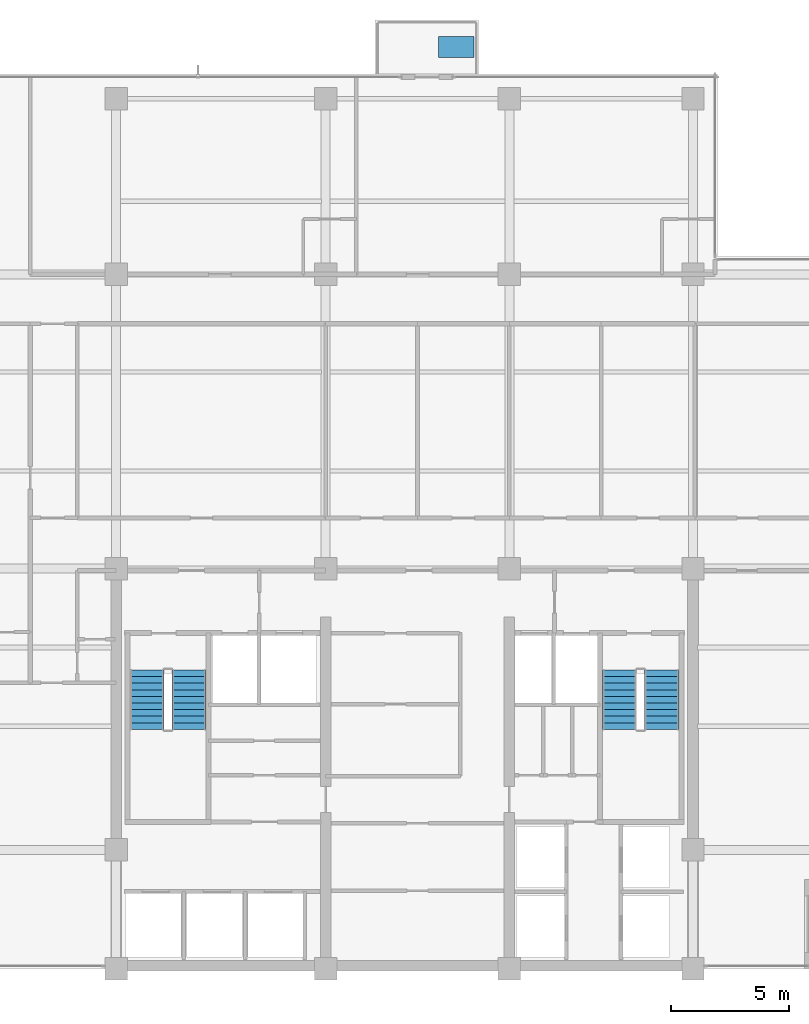
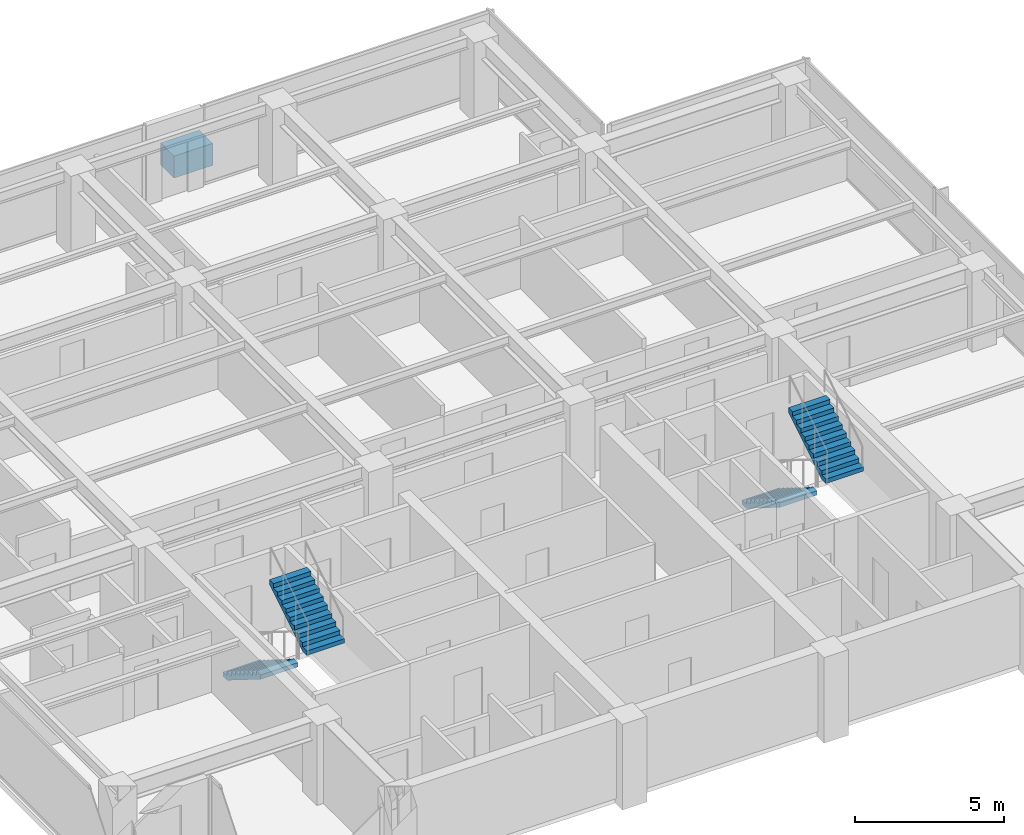
# One storey, part 10 of 15: 4 stair flights, 1 discrete accessory, 2 elements without a shape of their own.
"""IFC4 building model written with IfcOpenShell, lengths in metres."""

import ifcopenshell
import ifcopenshell.guid

model = None  # the IFC model being written
_history = None  # IfcOwnerHistory: only IFC2X3 demands one
_inside = {}  # id of a spatial element -> (the spatial element, [elements in it])
_under = {}  # id of a project, library or spatial element -> (it, [spatial elements below it])
_declared = {}  # id of a project -> (the project, [libraries it declares])
_typed = {}  # id of a type object -> (the type object, [elements of that type])
_made_of = {}  # id of a material, layer set ... -> (it, [elements and type objects made of it])


def new_model(schema):
    """Start an empty IFC model of exactly this schema.

    Asked for "IFC4X3", IfcOpenShell would pick the latest addendum, in which some entities
    have other attributes; the version numbers below select the first issue.
    IFC2X3 requires an IfcOwnerHistory on every rooted entity: one is made here for all.
    """
    global model, _history
    if schema == "IFC4X3":
        model = ifcopenshell.file(schema_version=(4, 3, 0, 0))
    else:
        model = ifcopenshell.file(schema=schema)
    _inside.clear()
    _under.clear()
    _declared.clear()
    _typed.clear()
    _made_of.clear()
    _history = None
    if model.schema == "IFC2X3":
        org = make("IfcOrganization", Name="unknown")
        user = make(
            "IfcPersonAndOrganization",
            ThePerson=make("IfcPerson", FamilyName="unknown"),
            TheOrganization=org,
        )
        app = make(
            "IfcApplication",
            ApplicationDeveloper=org,
            Version="unknown",
            ApplicationFullName="unknown",
            ApplicationIdentifier="unknown",
        )
        _history = make(
            "IfcOwnerHistory",
            OwningUser=user,
            OwningApplication=app,
            ChangeAction="ADDED",
            CreationDate=0,
        )
    return model


def make(cls, **values):
    """One entity of the class cls with the attributes given. An attribute that is None is left unset."""
    return model.create_entity(
        cls, **{name: value for name, value in values.items() if value is not None}
    )


def rooted(cls, **values):
    """An entity with a GlobalId (a new one), such as an element, a storey or a relation."""
    return make(cls, GlobalId=ifcopenshell.guid.new(), OwnerHistory=_history, **values)


def si_unit(unit_type, name, prefix=None):
    """IfcSIUnit, for example si_unit("LENGTHUNIT", "METRE", prefix="MILLI")."""
    return make("IfcSIUnit", UnitType=unit_type, Prefix=prefix, Name=name)


def assignment(units):
    """IfcUnitAssignment: the units of a project."""
    return None if units is None else make("IfcUnitAssignment", Units=units)


def point(xyz):
    """IfcCartesianPoint."""
    return None if xyz is None else make("IfcCartesianPoint", Coordinates=xyz)


def direction(xyz):
    """IfcDirection."""
    return None if xyz is None else make("IfcDirection", DirectionRatios=xyz)


def frame(location, z_axis=None, x_axis=None):
    """IfcAxis2Placement3D, a coordinate frame: its origin and axes. An axis left out is left unset."""
    return make(
        "IfcAxis2Placement3D",
        Location=point(location),
        Axis=direction(z_axis),
        RefDirection=direction(x_axis),
    )


def origin():
    """The frame at (0, 0, 0) with its axes left unset."""
    return frame((0.0, 0.0, 0.0))


def place(relative_to, where):
    """IfcLocalPlacement: puts the frame where relative to a parent placement (None: the world)."""
    return make(
        "IfcLocalPlacement", PlacementRelTo=relative_to, RelativePlacement=where
    )


def context(
    kind, dimensions, precision=None, world=None, true_north=None, identifier=None
):
    """IfcGeometricRepresentationContext, for example the 3D "Model" context."""
    return make(
        "IfcGeometricRepresentationContext",
        ContextIdentifier=identifier,
        ContextType=kind,
        CoordinateSpaceDimension=dimensions,
        Precision=precision,
        WorldCoordinateSystem=world,
        TrueNorth=true_north,
    )


def subcontext(parent, identifier, kind, view, scale=None):
    """IfcGeometricRepresentationSubContext, for example "Body" below "Model"."""
    return make(
        "IfcGeometricRepresentationSubContext",
        ContextIdentifier=identifier,
        ContextType=kind,
        ParentContext=parent,
        TargetScale=scale,
        TargetView=view,
    )


def project(units=None, contexts=None):
    """IfcProject with its units and contexts."""
    return rooted(
        "IfcProject",
        Name="project",
        RepresentationContexts=contexts,
        UnitsInContext=assignment(units),
    )


def spatial(cls, under=None, at=None, **own):
    """A site, building, storey or space (cls), placed at a placement, below another one or the project."""
    s = rooted(cls, ObjectPlacement=at, **own)
    if under is not None:
        _under.setdefault(under.id(), (under, []))[1].append(s)
    return s


def polyline(points):
    """IfcPolyline through the points."""
    return make("IfcPolyline", Points=[point(p) for p in points])


def outline(outer, holes=None, kind="AREA"):
    """IfcArbitraryClosedProfileDef: a profile drawn as a closed curve; with holes, ...WithVoids."""
    if holes is None:
        return make("IfcArbitraryClosedProfileDef", ProfileType=kind, OuterCurve=outer)
    return make(
        "IfcArbitraryProfileDefWithVoids",
        ProfileType=kind,
        OuterCurve=outer,
        InnerCurves=holes,
    )


def extrude(swept, where, along, depth):
    """IfcExtrudedAreaSolid: the profile swept, set in the frame where, extruded along a direction by depth."""
    return make(
        "IfcExtrudedAreaSolid",
        SweptArea=swept,
        Position=where,
        ExtrudedDirection=direction(along),
        Depth=depth,
    )


def shape(context_of_items, identifier, shape_type, items):
    """IfcShapeRepresentation: the items that make up one representation, for example the "Body"."""
    return make(
        "IfcShapeRepresentation",
        ContextOfItems=context_of_items,
        RepresentationIdentifier=identifier,
        RepresentationType=shape_type,
        Items=items,
    )


def material(Name=None, Category=None):
    """IfcMaterial."""
    return make("IfcMaterial", Name=Name, Category=Category)


def layer(
    of_material, thickness, ventilated=None, Name=None, Category=None, Priority=None
):
    """IfcMaterialLayer: one layer of a wall or slab, of a material (None: an air gap)."""
    return make(
        "IfcMaterialLayer",
        Material=of_material,
        LayerThickness=thickness,
        IsVentilated=ventilated,
        Name=Name,
        Category=Category,
        Priority=Priority,
    )


def layer_set(layers, Name=None):
    """IfcMaterialLayerSet."""
    return make("IfcMaterialLayerSet", MaterialLayers=layers, LayerSetName=Name)


def made_of(thing, what):
    """Note that an element or type object is made of a material, layer set ...; save() writes the relation."""
    if what is not None:
        _made_of.setdefault(what.id(), (what, []))[1].append(thing)
    return thing


def type_object(cls, material=None, **own):
    """A type object (cls), such as IfcWallType, which elements share."""
    return made_of(rooted(cls, **own), material)


def element(
    cls,
    number,
    at=None,
    inside=None,
    cuts=None,
    type_object=None,
    material=None,
    context=None,
    identifier="Body",
    shape_type=None,
    held_by="IfcProductDefinitionShape",
    body=None,
    shapes=None,
    **own,
):
    """One element of the class cls, such as IfcWall. Its Tag is "e" and its number.

    at: its placement. inside: the storey or other place that contains it. cuts: it is an
    opening in that element (IfcRelVoidsElement). A single representation is given by context,
    identifier, shape_type and body (its items); several are given by shapes. held_by: the class
    of the entity that holds the representations. save() writes the other relations.
    """
    e = rooted(cls, Tag="e%d" % number, ObjectPlacement=at, **own)
    if body is not None:
        shapes = [shape(context, identifier, shape_type, body)]
    if shapes is not None:
        e.Representation = make(held_by, Representations=shapes)
    if inside is not None:
        _inside.setdefault(inside.id(), (inside, []))[1].append(e)
    if cuts is not None:
        rooted(
            "IfcRelVoidsElement", RelatingBuildingElement=cuts, RelatedOpeningElement=e
        )
    if type_object is not None:
        _typed.setdefault(type_object.id(), (type_object, []))[1].append(e)
    return made_of(e, material)


def aggregate(whole, parts):
    """IfcRelAggregates: a whole, such as a stair, and the parts it consists of."""
    return rooted("IfcRelAggregates", RelatingObject=whole, RelatedObjects=parts)


def save(model, path):
    """Write the relations noted so far, then the file.

    IfcRelAggregates (storeys below a building ...), IfcRelContainedInSpatialStructure (elements
    in a storey), IfcRelDefinesByType, IfcRelAssociatesMaterial and IfcRelDeclares: one each for
    every whole, place, type object, material and project.
    """
    for whole, parts in _under.values():
        aggregate(whole, parts)
    for where, things in _inside.values():
        rooted(
            "IfcRelContainedInSpatialStructure",
            RelatedElements=things,
            RelatingStructure=where,
        )
    for kind, things in _typed.values():
        rooted("IfcRelDefinesByType", RelatedObjects=things, RelatingType=kind)
    for what, things in _made_of.values():
        rooted("IfcRelAssociatesMaterial", RelatedObjects=things, RelatingMaterial=what)
    for by, libraries in _declared.values():
        rooted("IfcRelDeclares", RelatingContext=by, RelatedDefinitions=libraries)
    model.write(path)


model = new_model("IFC4")

# Units and contexts
model_context = context("Model", 3, precision=1e-05, world=origin(), true_north=direction((0.0, 1.0)))
body_context = subcontext(model_context, "Body", "Model", "MODEL_VIEW")
ifc_project = project(units=[si_unit("LENGTHUNIT", "METRE"), si_unit("AREAUNIT", "SQUARE_METRE"), si_unit("VOLUMEUNIT", "CUBIC_METRE"), si_unit("PLANEANGLEUNIT", "RADIAN"), si_unit("MASSUNIT", "GRAM", prefix="KILO")], contexts=[model_context])

# Site, building, storey
site_placement = place(None, origin())
site = spatial("IfcSite", under=ifc_project, at=site_placement, CompositionType="ELEMENT")
building_placement = place(site_placement, origin())
building = spatial("IfcBuilding", under=site, at=building_placement, Name="Qalmaran Belvedere Hotel", CompositionType="ELEMENT")
storey_placement = place(building_placement, frame((0.0, 0.0, 221.39990234375)))
storey = spatial("IfcBuildingStorey", under=building, at=storey_placement, Name="L56", CompositionType="ELEMENT", Elevation=221.39990234375)

# Stair, stair flights
ifc_material = material(Name="Concrete C40/50", Category="concrete")
stair_type_1 = type_object("IfcStairType", Name="STR-ST-1-1450-R1750", PredefinedType="HALF_TURN_STAIR", material=ifc_material)
stair_1_placement = place(storey_placement, origin())
stair_1 = element("IfcStair", 1, at=stair_1_placement, inside=storey, type_object=stair_type_1, Name="L56 West Core Exit Stair ST-1", PredefinedType="HALF_TURN_STAIR")
ifc_layer_1 = layer(ifc_material, 0.14990234375, Name="Concrete C40/50")
ifc_layer_set_1 = layer_set([ifc_layer_1], Name="Concrete C40/50")
stair_flight_type_1 = type_object("IfcStairFlightType", Name="STF-ST-1-1450-R1750", PredefinedType="STRAIGHT", material=ifc_layer_set_1)
stair_flight_1_placement = place(storey_placement, frame((21.60498046875, 16.18994140625, 0.0), z_axis=(0.0, 0.0, 1.0), x_axis=(0.0, -1.0, 0.0)))
stair_flight_1 = element("IfcStairFlight", 2, at=stair_flight_1_placement, type_object=stair_flight_type_1, Name="ST-1 flight 1", NumberOfRisers=10, NumberOfTreads=9, PredefinedType="STRAIGHT", RiserHeight=0.175, TreadLength=0.28, context=body_context, shape_type="SweptSolid", body=[
    extrude(outline(polyline([(0.0, 0.0), (0.0, 0.175048828125), (0.280029296875, 0.175048828125), (0.280029296875, 0.35009765625), (0.56005859375, 0.35009765625), (0.56005859375, 0.52490234375), (0.840087890625, 0.52490234375), (0.840087890625, 0.699951171875), (1.1201171875, 0.699951171875), (1.1201171875, 0.875), (1.39990234375, 0.875), (1.39990234375, 1.050048828125), (1.679931640625, 1.050048828125), (1.679931640625, 1.22509765625), (1.9599609375, 1.22509765625), (1.9599609375, 1.39990234375), (2.239990234375, 1.39990234375), (2.239990234375, 1.574951171875), (2.52001953125, 1.574951171875), (2.52001953125, 1.75), (2.52001953125, 1.398193359375), (0.28271484375, 0.0), (0.0, 0.0)])), frame((0.0, 0.72509765625, 0.0), z_axis=(0.0, -1.0, 0.0), x_axis=(1.0, 0.0, 0.0)), (0.0, 0.0, 1.0), 1.449951171875),
])
stair_flight_2_placement = place(storey_placement, frame((23.39501953125, 13.669921875, 1.75), z_axis=(0.0, 0.0, 1.0), x_axis=(0.0, 1.0, 0.0)))
stair_flight_2 = element("IfcStairFlight", 3, at=stair_flight_2_placement, type_object=stair_flight_type_1, Name="ST-1 flight 2", NumberOfRisers=10, NumberOfTreads=9, PredefinedType="STRAIGHT", RiserHeight=0.175, TreadLength=0.28, context=body_context, shape_type="SweptSolid", body=[
    extrude(outline(polyline([(0.0, 0.0), (0.0, 0.175048828125), (0.280029296875, 0.175048828125), (0.280029296875, 0.35009765625), (0.56005859375, 0.35009765625), (0.56005859375, 0.52490234375), (0.840087890625, 0.52490234375), (0.840087890625, 0.699951171875), (1.1201171875, 0.699951171875), (1.1201171875, 0.875), (1.39990234375, 0.875), (1.39990234375, 1.050048828125), (1.679931640625, 1.050048828125), (1.679931640625, 1.22509765625), (1.9599609375, 1.22509765625), (1.9599609375, 1.39990234375), (2.239990234375, 1.39990234375), (2.239990234375, 1.574951171875), (2.52001953125, 1.574951171875), (2.52001953125, 1.75), (2.52001953125, 1.398193359375), (0.28271484375, 0.0), (0.0, 0.0)])), frame((0.0, 0.72509765625, 0.0), z_axis=(0.0, -1.0, 0.0), x_axis=(1.0, 0.0, 0.0)), (0.0, 0.0, 1.0), 1.449951171875),
])
aggregate(stair_1, [stair_flight_1, stair_flight_2])

stair_type_2 = type_object("IfcStairType", Name="STR-ST-2-1450-R1750", PredefinedType="HALF_TURN_STAIR", material=ifc_material)
stair_2_placement = place(storey_placement, origin())
stair_2 = element("IfcStair", 4, at=stair_2_placement, inside=storey, type_object=stair_type_2, Name="L56 East Core Exit Stair ST-2", PredefinedType="HALF_TURN_STAIR")
ifc_layer_2 = layer(ifc_material, 0.14990234375, Name="Concrete C40/50")
ifc_layer_set_2 = layer_set([ifc_layer_2], Name="Concrete C40/50")
stair_flight_type_2 = type_object("IfcStairFlightType", Name="STF-ST-2-1450-R1750", PredefinedType="STRAIGHT", material=ifc_layer_set_2)
stair_flight_3_placement = place(storey_placement, frame((41.68505859375, 16.18994140625, 0.0), z_axis=(0.0, 0.0, 1.0), x_axis=(0.0, -1.0, 0.0)))
stair_flight_3 = element("IfcStairFlight", 5, at=stair_flight_3_placement, type_object=stair_flight_type_2, Name="ST-2 flight 1", NumberOfRisers=10, NumberOfTreads=9, PredefinedType="STRAIGHT", RiserHeight=0.175, TreadLength=0.28, context=body_context, shape_type="SweptSolid", body=[
    extrude(outline(polyline([(0.0, 0.0), (0.0, 0.175048828125), (0.280029296875, 0.175048828125), (0.280029296875, 0.35009765625), (0.56005859375, 0.35009765625), (0.56005859375, 0.52490234375), (0.840087890625, 0.52490234375), (0.840087890625, 0.699951171875), (1.1201171875, 0.699951171875), (1.1201171875, 0.875), (1.39990234375, 0.875), (1.39990234375, 1.050048828125), (1.679931640625, 1.050048828125), (1.679931640625, 1.22509765625), (1.9599609375, 1.22509765625), (1.9599609375, 1.39990234375), (2.239990234375, 1.39990234375), (2.239990234375, 1.574951171875), (2.52001953125, 1.574951171875), (2.52001953125, 1.75), (2.52001953125, 1.398193359375), (0.28271484375, 0.0), (0.0, 0.0)])), frame((0.0, 0.72509765625, 0.0), z_axis=(0.0, -1.0, 0.0), x_axis=(1.0, 0.0, 0.0)), (0.0, 0.0, 1.0), 1.449951171875),
])
stair_flight_4_placement = place(storey_placement, frame((43.47509765625, 13.669921875, 1.75), z_axis=(0.0, 0.0, 1.0), x_axis=(0.0, 1.0, 0.0)))
stair_flight_4 = element("IfcStairFlight", 6, at=stair_flight_4_placement, type_object=stair_flight_type_2, Name="ST-2 flight 2", NumberOfRisers=10, NumberOfTreads=9, PredefinedType="STRAIGHT", RiserHeight=0.175, TreadLength=0.28, context=body_context, shape_type="SweptSolid", body=[
    extrude(outline(polyline([(0.0, 0.0), (0.0, 0.175048828125), (0.280029296875, 0.175048828125), (0.280029296875, 0.35009765625), (0.56005859375, 0.35009765625), (0.56005859375, 0.52490234375), (0.840087890625, 0.52490234375), (0.840087890625, 0.699951171875), (1.1201171875, 0.699951171875), (1.1201171875, 0.875), (1.39990234375, 0.875), (1.39990234375, 1.050048828125), (1.679931640625, 1.050048828125), (1.679931640625, 1.22509765625), (1.9599609375, 1.22509765625), (1.9599609375, 1.39990234375), (2.239990234375, 1.39990234375), (2.239990234375, 1.574951171875), (2.52001953125, 1.574951171875), (2.52001953125, 1.75), (2.52001953125, 1.398193359375), (0.28271484375, 0.0), (0.0, 0.0)])), frame((0.0, 0.72509765625, 0.0), z_axis=(0.0, -1.0, 0.0), x_axis=(1.0, 0.0, 0.0)), (0.0, 0.0, 1.0), 1.449951171875),
])
aggregate(stair_2, [stair_flight_3, stair_flight_4])

# Discrete accessory
discrete_accessory_type = type_object("IfcDiscreteAccessoryType", Name="PLN-BAL-1500", PredefinedType="USERDEFINED", material=ifc_material)
discrete_accessory_placement = place(storey_placement, origin())
element("IfcDiscreteAccessory", 7, at=discrete_accessory_placement, inside=storey, type_object=discrete_accessory_type, Name="L56 Sky Tree Planter", ObjectType="PLANTER", PredefinedType="USERDEFINED", context=body_context, shape_type="SweptSolid", body=[
    extrude(outline(polyline([(34.0, 42.199951171875), (35.5, 42.199951171875), (35.5, 43.10009765625), (34.0, 43.10009765625), (34.0, 42.199951171875)])), origin(), (0.0, 0.0, 1.0), 0.900146484375),
])

save(model, "model.ifc")
